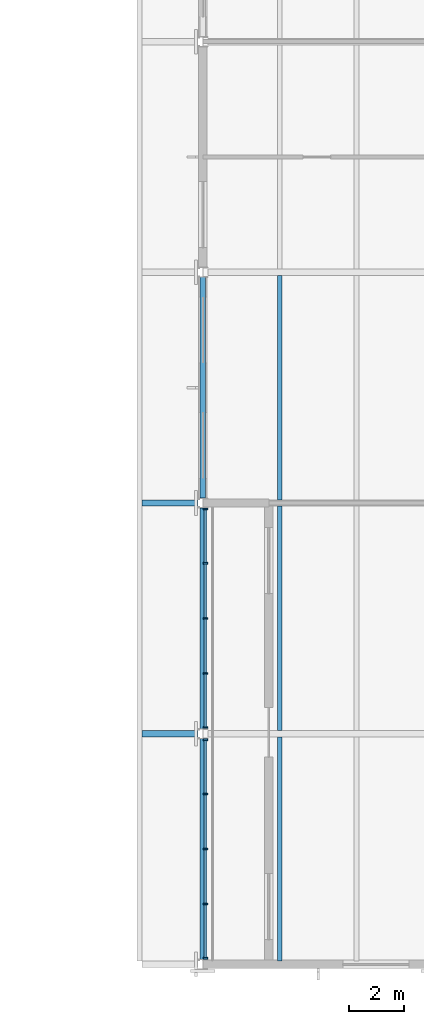
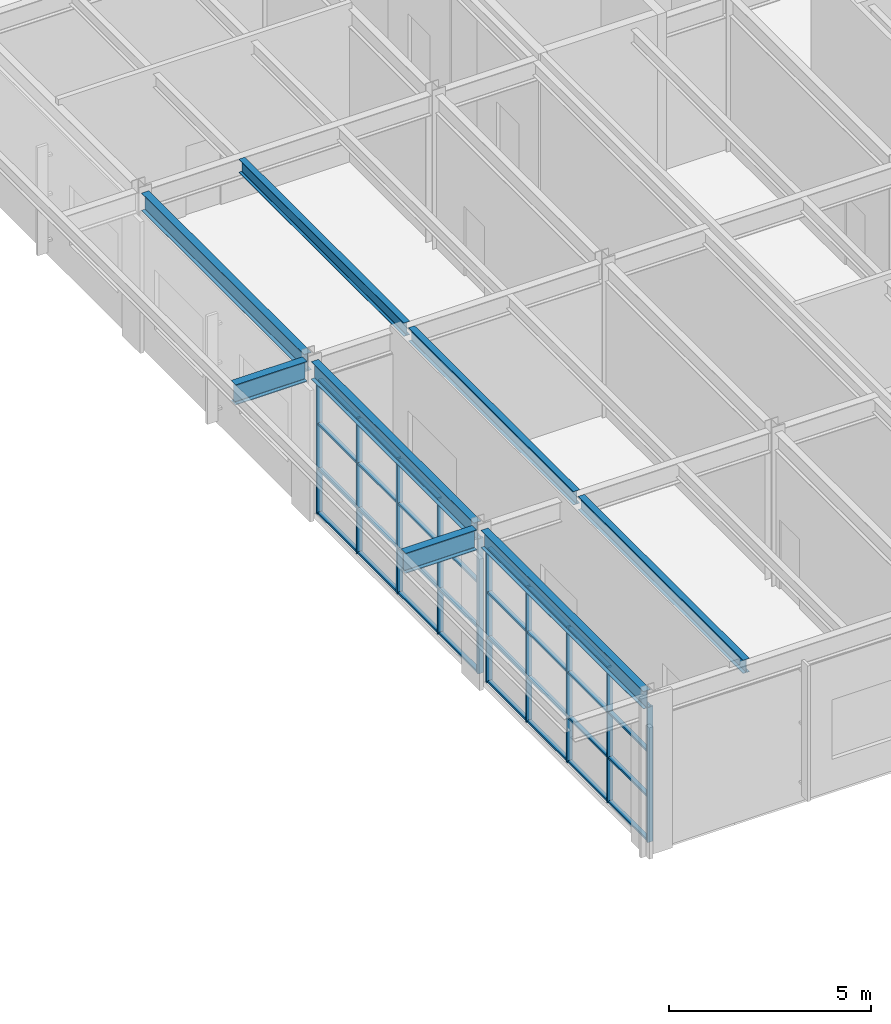
# One storey, part 25 of 116: 42 members, 8 beams, 2 elements without a shape of their own.
"""IFC4 building model written with IfcOpenShell, lengths in metres."""

import ifcopenshell
import ifcopenshell.guid

model = None  # the IFC model being written
_history = None  # IfcOwnerHistory: only IFC2X3 demands one
_inside = {}  # id of a spatial element -> (the spatial element, [elements in it])
_under = {}  # id of a project, library or spatial element -> (it, [spatial elements below it])
_declared = {}  # id of a project -> (the project, [libraries it declares])
_typed = {}  # id of a type object -> (the type object, [elements of that type])
_made_of = {}  # id of a material, layer set ... -> (it, [elements and type objects made of it])


def new_model(schema):
    """Start an empty IFC model of exactly this schema.

    Asked for "IFC4X3", IfcOpenShell would pick the latest addendum, in which some entities
    have other attributes; the version numbers below select the first issue.
    IFC2X3 requires an IfcOwnerHistory on every rooted entity: one is made here for all.
    """
    global model, _history
    if schema == "IFC4X3":
        model = ifcopenshell.file(schema_version=(4, 3, 0, 0))
    else:
        model = ifcopenshell.file(schema=schema)
    _inside.clear()
    _under.clear()
    _declared.clear()
    _typed.clear()
    _made_of.clear()
    _history = None
    if model.schema == "IFC2X3":
        org = make("IfcOrganization", Name="unknown")
        user = make(
            "IfcPersonAndOrganization",
            ThePerson=make("IfcPerson", FamilyName="unknown"),
            TheOrganization=org,
        )
        app = make(
            "IfcApplication",
            ApplicationDeveloper=org,
            Version="unknown",
            ApplicationFullName="unknown",
            ApplicationIdentifier="unknown",
        )
        _history = make(
            "IfcOwnerHistory",
            OwningUser=user,
            OwningApplication=app,
            ChangeAction="ADDED",
            CreationDate=0,
        )
    return model


def make(cls, **values):
    """One entity of the class cls with the attributes given. An attribute that is None is left unset."""
    return model.create_entity(
        cls, **{name: value for name, value in values.items() if value is not None}
    )


def rooted(cls, **values):
    """An entity with a GlobalId (a new one), such as an element, a storey or a relation."""
    return make(cls, GlobalId=ifcopenshell.guid.new(), OwnerHistory=_history, **values)


def si_unit(unit_type, name, prefix=None):
    """IfcSIUnit, for example si_unit("LENGTHUNIT", "METRE", prefix="MILLI")."""
    return make("IfcSIUnit", UnitType=unit_type, Prefix=prefix, Name=name)


def assignment(units):
    """IfcUnitAssignment: the units of a project."""
    return None if units is None else make("IfcUnitAssignment", Units=units)


def point(xyz):
    """IfcCartesianPoint."""
    return None if xyz is None else make("IfcCartesianPoint", Coordinates=xyz)


def direction(xyz):
    """IfcDirection."""
    return None if xyz is None else make("IfcDirection", DirectionRatios=xyz)


def frame(location, z_axis=None, x_axis=None):
    """IfcAxis2Placement3D, a coordinate frame: its origin and axes. An axis left out is left unset."""
    return make(
        "IfcAxis2Placement3D",
        Location=point(location),
        Axis=direction(z_axis),
        RefDirection=direction(x_axis),
    )


def frame_2d(location, x_axis=None):
    """IfcAxis2Placement2D, a coordinate frame in the plane: its origin and x axis."""
    return make(
        "IfcAxis2Placement2D", Location=point(location), RefDirection=direction(x_axis)
    )


def origin():
    """The frame at (0, 0, 0) with its axes left unset."""
    return frame((0.0, 0.0, 0.0))


def origin_2d():
    """The frame at (0, 0) in the plane with its x axis left unset."""
    return frame_2d((0.0, 0.0))


def place(relative_to, where):
    """IfcLocalPlacement: puts the frame where relative to a parent placement (None: the world)."""
    return make(
        "IfcLocalPlacement", PlacementRelTo=relative_to, RelativePlacement=where
    )


def context(
    kind, dimensions, precision=None, world=None, true_north=None, identifier=None
):
    """IfcGeometricRepresentationContext, for example the 3D "Model" context."""
    return make(
        "IfcGeometricRepresentationContext",
        ContextIdentifier=identifier,
        ContextType=kind,
        CoordinateSpaceDimension=dimensions,
        Precision=precision,
        WorldCoordinateSystem=world,
        TrueNorth=true_north,
    )


def subcontext(parent, identifier, kind, view, scale=None):
    """IfcGeometricRepresentationSubContext, for example "Body" below "Model"."""
    return make(
        "IfcGeometricRepresentationSubContext",
        ContextIdentifier=identifier,
        ContextType=kind,
        ParentContext=parent,
        TargetScale=scale,
        TargetView=view,
    )


def project(units=None, contexts=None):
    """IfcProject with its units and contexts."""
    return rooted(
        "IfcProject",
        Name="project",
        RepresentationContexts=contexts,
        UnitsInContext=assignment(units),
    )


def spatial(cls, under=None, at=None, **own):
    """A site, building, storey or space (cls), placed at a placement, below another one or the project."""
    s = rooted(cls, ObjectPlacement=at, **own)
    if under is not None:
        _under.setdefault(under.id(), (under, []))[1].append(s)
    return s


def profile(cls, at=None, kind="AREA", **sizes):
    """A parametric profile (cls). Its sizes go by their IFC names, for example OverallWidth=200.0."""
    return make(cls, ProfileType=kind, Position=at, **sizes)


def rectangle(**sizes):
    """IfcRectangleProfileDef."""
    return profile("IfcRectangleProfileDef", **sizes)


def i_section(**sizes):
    """IfcIShapeProfileDef."""
    return profile("IfcIShapeProfileDef", **sizes)


def extrude(swept, where, along, depth):
    """IfcExtrudedAreaSolid: the profile swept, set in the frame where, extruded along a direction by depth."""
    return make(
        "IfcExtrudedAreaSolid",
        SweptArea=swept,
        Position=where,
        ExtrudedDirection=direction(along),
        Depth=depth,
    )


def shape(context_of_items, identifier, shape_type, items):
    """IfcShapeRepresentation: the items that make up one representation, for example the "Body"."""
    return make(
        "IfcShapeRepresentation",
        ContextOfItems=context_of_items,
        RepresentationIdentifier=identifier,
        RepresentationType=shape_type,
        Items=items,
    )


def material(Name=None, Category=None):
    """IfcMaterial."""
    return make("IfcMaterial", Name=Name, Category=Category)


def material_profile(
    of_material, cross_section, Name=None, Category=None, Priority=None
):
    """IfcMaterialProfile: a cross section and its material."""
    return make(
        "IfcMaterialProfile",
        Name=Name,
        Material=of_material,
        Profile=cross_section,
        Priority=Priority,
        Category=Category,
    )


def profile_set(profiles, Name=None, composite=None):
    """IfcMaterialProfileSet."""
    return make(
        "IfcMaterialProfileSet",
        Name=Name,
        MaterialProfiles=profiles,
        CompositeProfile=composite,
    )


def made_of(thing, what):
    """Note that an element or type object is made of a material, layer set ...; save() writes the relation."""
    if what is not None:
        _made_of.setdefault(what.id(), (what, []))[1].append(thing)
    return thing


def type_object(cls, material=None, **own):
    """A type object (cls), such as IfcWallType, which elements share."""
    return made_of(rooted(cls, **own), material)


def element(
    cls,
    number,
    at=None,
    inside=None,
    cuts=None,
    type_object=None,
    material=None,
    context=None,
    identifier="Body",
    shape_type=None,
    held_by="IfcProductDefinitionShape",
    body=None,
    shapes=None,
    **own,
):
    """One element of the class cls, such as IfcWall. Its Tag is "e" and its number.

    at: its placement. inside: the storey or other place that contains it. cuts: it is an
    opening in that element (IfcRelVoidsElement). A single representation is given by context,
    identifier, shape_type and body (its items); several are given by shapes. held_by: the class
    of the entity that holds the representations. save() writes the other relations.
    """
    e = rooted(cls, Tag="e%d" % number, ObjectPlacement=at, **own)
    if body is not None:
        shapes = [shape(context, identifier, shape_type, body)]
    if shapes is not None:
        e.Representation = make(held_by, Representations=shapes)
    if inside is not None:
        _inside.setdefault(inside.id(), (inside, []))[1].append(e)
    if cuts is not None:
        rooted(
            "IfcRelVoidsElement", RelatingBuildingElement=cuts, RelatedOpeningElement=e
        )
    if type_object is not None:
        _typed.setdefault(type_object.id(), (type_object, []))[1].append(e)
    return made_of(e, material)


def aggregate(whole, parts):
    """IfcRelAggregates: a whole, such as a stair, and the parts it consists of."""
    return rooted("IfcRelAggregates", RelatingObject=whole, RelatedObjects=parts)


def save(model, path):
    """Write the relations noted so far, then the file.

    IfcRelAggregates (storeys below a building ...), IfcRelContainedInSpatialStructure (elements
    in a storey), IfcRelDefinesByType, IfcRelAssociatesMaterial and IfcRelDeclares: one each for
    every whole, place, type object, material and project.
    """
    for whole, parts in _under.values():
        aggregate(whole, parts)
    for where, things in _inside.values():
        rooted(
            "IfcRelContainedInSpatialStructure",
            RelatedElements=things,
            RelatingStructure=where,
        )
    for kind, things in _typed.values():
        rooted("IfcRelDefinesByType", RelatedObjects=things, RelatingType=kind)
    for what, things in _made_of.values():
        rooted("IfcRelAssociatesMaterial", RelatedObjects=things, RelatingMaterial=what)
    for by, libraries in _declared.values():
        rooted("IfcRelDeclares", RelatingContext=by, RelatedDefinitions=libraries)
    model.write(path)


model = new_model("IFC4")

# Units and contexts
model_context = context("Model", 3, precision=1e-05, world=origin(), true_north=direction((0.0, 1.0)))
body_context = subcontext(model_context, "Body", "Model", "MODEL_VIEW")
ifc_project = project(units=[si_unit("LENGTHUNIT", "METRE"), si_unit("AREAUNIT", "SQUARE_METRE"), si_unit("VOLUMEUNIT", "CUBIC_METRE"), si_unit("PLANEANGLEUNIT", "RADIAN"), si_unit("MASSUNIT", "GRAM", prefix="KILO")], contexts=[model_context])

# Site, building, storey
site_placement = place(None, origin())
site = spatial("IfcSite", under=ifc_project, at=site_placement, CompositionType="ELEMENT")
building_placement = place(site_placement, origin())
building = spatial("IfcBuilding", under=site, at=building_placement, Name="Ljudholm Concert House", CompositionType="ELEMENT")
storey_placement = place(building_placement, frame((0.0, 0.0, 10.199951171875)))
storey = spatial("IfcBuildingStorey", under=building, at=storey_placement, Name="L02", CompositionType="ELEMENT", Elevation=10.199951171875)

# Curtain wall, members
ifc_material_1 = material(Name="Aluminium curtain wall with fixed aluminium storm louvre blades, timber-grain finish", Category="aluminium")
curtain_wall_type = type_object("IfcCurtainWallType", Name="CURTAIN WALL 2000", PredefinedType="NOTDEFINED", material=ifc_material_1)
curtain_wall_1_placement = place(storey_placement, origin())
curtain_wall_1 = element("IfcCurtainWall", 1, at=curtain_wall_1_placement, inside=storey, type_object=curtain_wall_type, Name="Storm louvre screen", PredefinedType="NOTDEFINED")
ifc_material_2 = material(Name="Aluminium extrusion", Category="aluminium")
ifc_material_profile_1 = material_profile(ifc_material_2, rectangle(XDim=0.159912109375, YDim=0.06005859375, at=origin_2d()), Name="MULLION 60x160")
ifc_profile_set_1 = profile_set([ifc_material_profile_1], Name="Aluminium extrusion")
member_type_1 = type_object("IfcMemberType", Name="MULLION 60x160", PredefinedType="MULLION", material=ifc_profile_set_1)
member_1_placement = place(storey_placement, frame((96.5, 4.219970703125, 0.0), z_axis=(0.0, 0.0, 1.0), x_axis=(-1.0, 0.0, 0.0)))
member_1 = element("IfcMember", 2, at=member_1_placement, type_object=member_type_1, Name="Mullion", PredefinedType="MULLION", context=body_context, shape_type="SweptSolid", body=[
    extrude(rectangle(XDim=0.159912109375, YDim=0.06005859375, at=origin_2d()), origin(), (0.0, 0.0, 1.0), 4.086669921875),
])
member_2_placement = place(storey_placement, frame((96.5, 6.195068359375, 0.0), z_axis=(0.0, 0.0, 1.0), x_axis=(-1.0, 0.0, 0.0)))
member_2 = element("IfcMember", 3, at=member_2_placement, type_object=member_type_1, Name="Mullion", PredefinedType="MULLION", context=body_context, shape_type="SweptSolid", body=[
    extrude(rectangle(XDim=0.159912109375, YDim=0.06005859375, at=origin_2d()), origin(), (0.0, 0.0, 1.0), 4.086669921875),
])
member_3_placement = place(storey_placement, frame((96.5, 8.199951171875, 0.0), z_axis=(0.0, 0.0, 1.0), x_axis=(-1.0, 0.0, 0.0)))
member_3 = element("IfcMember", 4, at=member_3_placement, type_object=member_type_1, Name="Mullion", PredefinedType="MULLION", context=body_context, shape_type="SweptSolid", body=[
    extrude(rectangle(XDim=0.159912109375, YDim=0.06005859375, at=origin_2d()), origin(), (0.0, 0.0, 1.0), 4.086669921875),
])
member_4_placement = place(storey_placement, frame((96.5, 10.205078125, 0.0), z_axis=(0.0, 0.0, 1.0), x_axis=(-1.0, 0.0, 0.0)))
member_4 = element("IfcMember", 5, at=member_4_placement, type_object=member_type_1, Name="Mullion", PredefinedType="MULLION", context=body_context, shape_type="SweptSolid", body=[
    extrude(rectangle(XDim=0.159912109375, YDim=0.06005859375, at=origin_2d()), origin(), (0.0, 0.0, 1.0), 4.086669921875),
])
member_5_placement = place(storey_placement, frame((96.5, 12.179931640625, 0.0), z_axis=(0.0, 0.0, 1.0), x_axis=(-1.0, 0.0, 0.0)))
member_5 = element("IfcMember", 6, at=member_5_placement, type_object=member_type_1, Name="Mullion", PredefinedType="MULLION", context=body_context, shape_type="SweptSolid", body=[
    extrude(rectangle(XDim=0.159912109375, YDim=0.06005859375, at=origin_2d()), origin(), (0.0, 0.0, 1.0), 4.086669921875),
])

curtain_wall_2_placement = place(storey_placement, origin())
curtain_wall_2 = element("IfcCurtainWall", 7, at=curtain_wall_2_placement, inside=storey, type_object=curtain_wall_type, Name="Storm louvre screen", PredefinedType="NOTDEFINED")
member_6_placement = place(storey_placement, frame((96.5, 12.6201171875, 0.0), z_axis=(0.0, 0.0, 1.0), x_axis=(-1.0, 0.0, 0.0)))
member_6 = element("IfcMember", 8, at=member_6_placement, type_object=member_type_1, Name="Mullion", PredefinedType="MULLION", context=body_context, shape_type="SweptSolid", body=[
    extrude(rectangle(XDim=0.159912109375, YDim=0.06005859375, at=origin_2d()), origin(), (0.0, 0.0, 1.0), 4.086669921875),
])
member_7_placement = place(storey_placement, frame((96.5, 14.594970703125, 0.0), z_axis=(0.0, 0.0, 1.0), x_axis=(-1.0, 0.0, 0.0)))
member_7 = element("IfcMember", 9, at=member_7_placement, type_object=member_type_1, Name="Mullion", PredefinedType="MULLION", context=body_context, shape_type="SweptSolid", body=[
    extrude(rectangle(XDim=0.159912109375, YDim=0.06005859375, at=origin_2d()), origin(), (0.0, 0.0, 1.0), 4.086669921875),
])
member_8_placement = place(storey_placement, frame((96.5, 16.60009765625, 0.0), z_axis=(0.0, 0.0, 1.0), x_axis=(-1.0, 0.0, 0.0)))
member_8 = element("IfcMember", 10, at=member_8_placement, type_object=member_type_1, Name="Mullion", PredefinedType="MULLION", context=body_context, shape_type="SweptSolid", body=[
    extrude(rectangle(XDim=0.159912109375, YDim=0.06005859375, at=origin_2d()), origin(), (0.0, 0.0, 1.0), 4.086669921875),
])
member_9_placement = place(storey_placement, frame((96.5, 18.60498046875, 0.0), z_axis=(0.0, 0.0, 1.0), x_axis=(-1.0, 0.0, 0.0)))
member_9 = element("IfcMember", 11, at=member_9_placement, type_object=member_type_1, Name="Mullion", PredefinedType="MULLION", context=body_context, shape_type="SweptSolid", body=[
    extrude(rectangle(XDim=0.159912109375, YDim=0.06005859375, at=origin_2d()), origin(), (0.0, 0.0, 1.0), 4.086669921875),
])
member_10_placement = place(storey_placement, frame((96.5, 20.580078125, 0.0), z_axis=(0.0, 0.0, 1.0), x_axis=(-1.0, 0.0, 0.0)))
member_10 = element("IfcMember", 12, at=member_10_placement, type_object=member_type_1, Name="Mullion", PredefinedType="MULLION", context=body_context, shape_type="SweptSolid", body=[
    extrude(rectangle(XDim=0.159912109375, YDim=0.06005859375, at=origin_2d()), origin(), (0.0, 0.0, 1.0), 4.086669921875),
])

# Beams
ifc_material_3 = material(Name="Steel ASTM A992", Category="steel")
ifc_material_profile_2 = material_profile(ifc_material_3, i_section(OverallWidth=0.177734375, OverallDepth=0.406494140625, WebThickness=0.0078125, FlangeThickness=0.012939453125, FilletRadius=0.01025390625, at=origin_2d()), Name="W16X40")
ifc_profile_set_2 = profile_set([ifc_material_profile_2], Name="Steel ASTM A992")
beam_type_1 = type_object("IfcBeamType", Name="STEEL BEAM W16X40", PredefinedType="BEAM", material=ifc_profile_set_2)
for number, where, z_axis, x_axis, name in (
    (13, (99.199951171875, 4.114501953125, 4.416748046875), (0.0, 1.0, 0.0), (-1.0, 0.0, 0.0), "Beam BOH-ROOF-sb-99.2-4"),
    (14, (99.199951171875, 12.5146484375, 4.416748046875), (0.0, 1.0, 0.0), (-1.0, 0.0, 0.0), "Beam BOH-ROOF-sb-99.2-12.4"),
    (15, (99.199951171875, 20.91455078125, 4.416748046875), (0.0, 1.0, 0.0), (-1.0, 0.0, 0.0), "Beam BOH-ROOF-sb-99.2-20.8"),
):
    element("IfcBeam", number, at=place(storey_placement, frame(where, z_axis=z_axis, x_axis=x_axis)), inside=storey, type_object=beam_type_1, Name=name, PredefinedType="BEAM", context=body_context, shape_type="SweptSolid", body=[
        extrude(i_section(OverallWidth=0.177734375, OverallDepth=0.406494140625, WebThickness=0.0078125, FlangeThickness=0.012939453125, FilletRadius=0.01025390625, at=origin_2d()), origin(), (0.0, 0.0, 1.0), 8.1708984375),
    ])
ifc_material_4 = material(Name="Steel ASTM A992", Category="steel")
ifc_material_profile_3 = material_profile(ifc_material_4, i_section(OverallWidth=0.209228515625, OverallDepth=0.533447265625, WebThickness=0.01025390625, FlangeThickness=0.015625, FilletRadius=0.012939453125, at=origin_2d()), Name="W21X62")
ifc_profile_set_3 = profile_set([ifc_material_profile_3], Name="Steel ASTM A992")
beam_type_2 = type_object("IfcBeamType", Name="STEEL BEAM W21X62", PredefinedType="BEAM", material=ifc_profile_set_3)
for number, where, z_axis, x_axis, name in (
    (16, (96.39990234375, 4.177734375, 4.353271484375), (0.0, 1.0, 0.0), (-1.0, 0.0, 0.0), "Beam BOH-ROOF-gy-96.4-4"),
    (17, (96.39990234375, 12.577880859375, 4.353271484375), (0.0, 1.0, 0.0), (-1.0, 0.0, 0.0), "Beam BOH-ROOF-gy-96.4-12.4"),
    (18, (96.39990234375, 20.977783203125, 4.353271484375), (0.0, 1.0, 0.0), (-1.0, 0.0, 0.0), "Beam BOH-ROOF-gy-96.4-20.8"),
):
    element("IfcBeam", number, at=place(storey_placement, frame(where, z_axis=z_axis, x_axis=x_axis)), inside=storey, type_object=beam_type_2, Name=name, PredefinedType="BEAM", context=body_context, shape_type="SweptSolid", body=[
        extrude(i_section(OverallWidth=0.209228515625, OverallDepth=0.533447265625, WebThickness=0.01025390625, FlangeThickness=0.015625, FilletRadius=0.012939453125, at=origin_2d()), origin(), (0.0, 0.0, 1.0), 8.04443359375),
    ])
ifc_material_5 = material(Name="Steel ASTM A992", Category="steel")
ifc_material_profile_4 = material_profile(ifc_material_5, i_section(OverallWidth=0.22900390625, OverallDepth=0.612060546875, WebThickness=0.011962890625, FlangeThickness=0.01953125, FilletRadius=0.0126953125, at=origin_2d()), Name="W24X84")
ifc_profile_set_4 = profile_set([ifc_material_profile_4], Name="Steel ASTM A992")
beam_type_3 = type_object("IfcBeamType", Name="STEEL BEAM W24X84", PredefinedType="BEAM", material=ifc_profile_set_4)
for number, where, z_axis, x_axis, name in (
    (19, (96.2158203125, 12.39990234375, 4.31396484375), (-1.0, 0.0, 0.0), (0.0, -1.0, 0.0), "Beam BOH-ROOF-eave-gW-12.4"),
    (20, (96.2158203125, 20.800048828125, 4.31396484375), (-1.0, 0.0, 0.0), (0.0, -1.0, 0.0), "Beam BOH-ROOF-eave-gW-20.8"),
):
    element("IfcBeam", number, at=place(storey_placement, frame(where, z_axis=z_axis, x_axis=x_axis)), inside=storey, type_object=beam_type_3, Name=name, PredefinedType="BEAM", context=body_context, shape_type="SweptSolid", body=[
        extrude(i_section(OverallWidth=0.22900390625, OverallDepth=0.612060546875, WebThickness=0.011962890625, FlangeThickness=0.01953125, FilletRadius=0.0126953125, at=origin_2d()), origin(), (0.0, 0.0, 1.0), 2.0380859375),
    ])

# Member
ifc_material_6 = material(Name="Aluminium extrusion", Category="aluminium")
ifc_material_profile_5 = material_profile(ifc_material_6, rectangle(XDim=0.1201171875, YDim=0.06005859375, at=origin_2d()), Name="TRANSOM 60x120")
ifc_profile_set_5 = profile_set([ifc_material_profile_5], Name="Aluminium extrusion")
member_type_2 = type_object("IfcMemberType", Name="TRANSOM 60x120", PredefinedType="USERDEFINED", material=ifc_profile_set_5)
member_11_placement = place(storey_placement, frame((96.5, 4.25, 0.030029296875), z_axis=(0.0, 1.0, 0.0), x_axis=(-1.0, 0.0, 0.0)))
member_11 = element("IfcMember", 21, at=member_11_placement, type_object=member_type_2, Name="Transom", ObjectType="TRANSOM", PredefinedType="USERDEFINED", context=body_context, shape_type="SweptSolid", body=[
    extrude(rectangle(XDim=0.1201171875, YDim=0.06005859375, at=origin_2d()), origin(), (0.0, 0.0, 1.0), 1.9150390625),
])

member_12_placement = place(storey_placement, frame((96.5, 4.25, 1.3623046875), z_axis=(0.0, 1.0, 0.0), x_axis=(-1.0, 0.0, 0.0)))
member_12 = element("IfcMember", 22, at=member_12_placement, type_object=member_type_2, Name="Transom", ObjectType="TRANSOM", PredefinedType="USERDEFINED", context=body_context, shape_type="SweptSolid", body=[
    extrude(rectangle(XDim=0.1201171875, YDim=0.06005859375, at=origin_2d()), origin(), (0.0, 0.0, 1.0), 1.9150390625),
])

member_13_placement = place(storey_placement, frame((96.5, 4.25, 2.724365234375), z_axis=(0.0, 1.0, 0.0), x_axis=(-1.0, 0.0, 0.0)))
member_13 = element("IfcMember", 23, at=member_13_placement, type_object=member_type_2, Name="Transom", ObjectType="TRANSOM", PredefinedType="USERDEFINED", context=body_context, shape_type="SweptSolid", body=[
    extrude(rectangle(XDim=0.1201171875, YDim=0.06005859375, at=origin_2d()), origin(), (0.0, 0.0, 1.0), 1.9150390625),
])

member_14_placement = place(storey_placement, frame((96.5, 4.25, 4.056640625), z_axis=(0.0, 1.0, 0.0), x_axis=(-1.0, 0.0, 0.0)))
member_14 = element("IfcMember", 24, at=member_14_placement, type_object=member_type_2, Name="Transom", ObjectType="TRANSOM", PredefinedType="USERDEFINED", context=body_context, shape_type="SweptSolid", body=[
    extrude(rectangle(XDim=0.1201171875, YDim=0.06005859375, at=origin_2d()), origin(), (0.0, 0.0, 1.0), 1.9150390625),
])

member_15_placement = place(storey_placement, frame((96.5, 6.22509765625, 0.030029296875), z_axis=(0.0, 1.0, 0.0), x_axis=(-1.0, 0.0, 0.0)))
member_15 = element("IfcMember", 25, at=member_15_placement, type_object=member_type_2, Name="Transom", ObjectType="TRANSOM", PredefinedType="USERDEFINED", context=body_context, shape_type="SweptSolid", body=[
    extrude(rectangle(XDim=0.1201171875, YDim=0.06005859375, at=origin_2d()), origin(), (0.0, 0.0, 1.0), 1.94482421875),
])

member_16_placement = place(storey_placement, frame((96.5, 6.22509765625, 1.3623046875), z_axis=(0.0, 1.0, 0.0), x_axis=(-1.0, 0.0, 0.0)))
member_16 = element("IfcMember", 26, at=member_16_placement, type_object=member_type_2, Name="Transom", ObjectType="TRANSOM", PredefinedType="USERDEFINED", context=body_context, shape_type="SweptSolid", body=[
    extrude(rectangle(XDim=0.1201171875, YDim=0.06005859375, at=origin_2d()), origin(), (0.0, 0.0, 1.0), 1.94482421875),
])

member_17_placement = place(storey_placement, frame((96.5, 6.22509765625, 2.724365234375), z_axis=(0.0, 1.0, 0.0), x_axis=(-1.0, 0.0, 0.0)))
member_17 = element("IfcMember", 27, at=member_17_placement, type_object=member_type_2, Name="Transom", ObjectType="TRANSOM", PredefinedType="USERDEFINED", context=body_context, shape_type="SweptSolid", body=[
    extrude(rectangle(XDim=0.1201171875, YDim=0.06005859375, at=origin_2d()), origin(), (0.0, 0.0, 1.0), 1.94482421875),
])

member_18_placement = place(storey_placement, frame((96.5, 6.22509765625, 4.056640625), z_axis=(0.0, 1.0, 0.0), x_axis=(-1.0, 0.0, 0.0)))
member_18 = element("IfcMember", 28, at=member_18_placement, type_object=member_type_2, Name="Transom", ObjectType="TRANSOM", PredefinedType="USERDEFINED", context=body_context, shape_type="SweptSolid", body=[
    extrude(rectangle(XDim=0.1201171875, YDim=0.06005859375, at=origin_2d()), origin(), (0.0, 0.0, 1.0), 1.94482421875),
])

member_19_placement = place(storey_placement, frame((96.5, 8.22998046875, 0.030029296875), z_axis=(0.0, 1.0, 0.0), x_axis=(-1.0, 0.0, 0.0)))
member_19 = element("IfcMember", 29, at=member_19_placement, type_object=member_type_2, Name="Transom", ObjectType="TRANSOM", PredefinedType="USERDEFINED", context=body_context, shape_type="SweptSolid", body=[
    extrude(rectangle(XDim=0.1201171875, YDim=0.06005859375, at=origin_2d()), origin(), (0.0, 0.0, 1.0), 1.945068359375),
])

member_20_placement = place(storey_placement, frame((96.5, 8.22998046875, 1.3623046875), z_axis=(0.0, 1.0, 0.0), x_axis=(-1.0, 0.0, 0.0)))
member_20 = element("IfcMember", 30, at=member_20_placement, type_object=member_type_2, Name="Transom", ObjectType="TRANSOM", PredefinedType="USERDEFINED", context=body_context, shape_type="SweptSolid", body=[
    extrude(rectangle(XDim=0.1201171875, YDim=0.06005859375, at=origin_2d()), origin(), (0.0, 0.0, 1.0), 1.945068359375),
])

member_21_placement = place(storey_placement, frame((96.5, 8.22998046875, 2.724365234375), z_axis=(0.0, 1.0, 0.0), x_axis=(-1.0, 0.0, 0.0)))
member_21 = element("IfcMember", 31, at=member_21_placement, type_object=member_type_2, Name="Transom", ObjectType="TRANSOM", PredefinedType="USERDEFINED", context=body_context, shape_type="SweptSolid", body=[
    extrude(rectangle(XDim=0.1201171875, YDim=0.06005859375, at=origin_2d()), origin(), (0.0, 0.0, 1.0), 1.945068359375),
])

member_22_placement = place(storey_placement, frame((96.5, 8.22998046875, 4.056640625), z_axis=(0.0, 1.0, 0.0), x_axis=(-1.0, 0.0, 0.0)))
member_22 = element("IfcMember", 32, at=member_22_placement, type_object=member_type_2, Name="Transom", ObjectType="TRANSOM", PredefinedType="USERDEFINED", context=body_context, shape_type="SweptSolid", body=[
    extrude(rectangle(XDim=0.1201171875, YDim=0.06005859375, at=origin_2d()), origin(), (0.0, 0.0, 1.0), 1.945068359375),
])

member_23_placement = place(storey_placement, frame((96.5, 10.235107421875, 0.030029296875), z_axis=(0.0, 1.0, 0.0), x_axis=(-1.0, 0.0, 0.0)))
member_23 = element("IfcMember", 33, at=member_23_placement, type_object=member_type_2, Name="Transom", ObjectType="TRANSOM", PredefinedType="USERDEFINED", context=body_context, shape_type="SweptSolid", body=[
    extrude(rectangle(XDim=0.1201171875, YDim=0.06005859375, at=origin_2d()), origin(), (0.0, 0.0, 1.0), 1.914794921875),
])

member_24_placement = place(storey_placement, frame((96.5, 10.235107421875, 1.3623046875), z_axis=(0.0, 1.0, 0.0), x_axis=(-1.0, 0.0, 0.0)))
member_24 = element("IfcMember", 34, at=member_24_placement, type_object=member_type_2, Name="Transom", ObjectType="TRANSOM", PredefinedType="USERDEFINED", context=body_context, shape_type="SweptSolid", body=[
    extrude(rectangle(XDim=0.1201171875, YDim=0.06005859375, at=origin_2d()), origin(), (0.0, 0.0, 1.0), 1.914794921875),
])

member_25_placement = place(storey_placement, frame((96.5, 10.235107421875, 2.724365234375), z_axis=(0.0, 1.0, 0.0), x_axis=(-1.0, 0.0, 0.0)))
member_25 = element("IfcMember", 35, at=member_25_placement, type_object=member_type_2, Name="Transom", ObjectType="TRANSOM", PredefinedType="USERDEFINED", context=body_context, shape_type="SweptSolid", body=[
    extrude(rectangle(XDim=0.1201171875, YDim=0.06005859375, at=origin_2d()), origin(), (0.0, 0.0, 1.0), 1.914794921875),
])

member_26_placement = place(storey_placement, frame((96.5, 10.235107421875, 4.056640625), z_axis=(0.0, 1.0, 0.0), x_axis=(-1.0, 0.0, 0.0)))
member_26 = element("IfcMember", 36, at=member_26_placement, type_object=member_type_2, Name="Transom", ObjectType="TRANSOM", PredefinedType="USERDEFINED", context=body_context, shape_type="SweptSolid", body=[
    extrude(rectangle(XDim=0.1201171875, YDim=0.06005859375, at=origin_2d()), origin(), (0.0, 0.0, 1.0), 1.914794921875),
])

aggregate(curtain_wall_1, [member_1, member_2, member_3, member_4, member_5, member_11, member_12, member_13, member_14, member_15, member_16, member_17, member_18, member_19, member_20, member_21, member_22, member_23, member_24, member_25, member_26])

member_27_placement = place(storey_placement, frame((96.5, 12.64990234375, 0.030029296875), z_axis=(0.0, 1.0, 0.0), x_axis=(-1.0, 0.0, 0.0)))
member_27 = element("IfcMember", 37, at=member_27_placement, type_object=member_type_2, Name="Transom", ObjectType="TRANSOM", PredefinedType="USERDEFINED", context=body_context, shape_type="SweptSolid", body=[
    extrude(rectangle(XDim=0.1201171875, YDim=0.06005859375, at=origin_2d()), origin(), (0.0, 0.0, 1.0), 1.9150390625),
])

member_28_placement = place(storey_placement, frame((96.5, 12.64990234375, 1.3623046875), z_axis=(0.0, 1.0, 0.0), x_axis=(-1.0, 0.0, 0.0)))
member_28 = element("IfcMember", 38, at=member_28_placement, type_object=member_type_2, Name="Transom", ObjectType="TRANSOM", PredefinedType="USERDEFINED", context=body_context, shape_type="SweptSolid", body=[
    extrude(rectangle(XDim=0.1201171875, YDim=0.06005859375, at=origin_2d()), origin(), (0.0, 0.0, 1.0), 1.9150390625),
])

member_29_placement = place(storey_placement, frame((96.5, 12.64990234375, 2.724365234375), z_axis=(0.0, 1.0, 0.0), x_axis=(-1.0, 0.0, 0.0)))
member_29 = element("IfcMember", 39, at=member_29_placement, type_object=member_type_2, Name="Transom", ObjectType="TRANSOM", PredefinedType="USERDEFINED", context=body_context, shape_type="SweptSolid", body=[
    extrude(rectangle(XDim=0.1201171875, YDim=0.06005859375, at=origin_2d()), origin(), (0.0, 0.0, 1.0), 1.9150390625),
])

member_30_placement = place(storey_placement, frame((96.5, 12.64990234375, 4.056640625), z_axis=(0.0, 1.0, 0.0), x_axis=(-1.0, 0.0, 0.0)))
member_30 = element("IfcMember", 40, at=member_30_placement, type_object=member_type_2, Name="Transom", ObjectType="TRANSOM", PredefinedType="USERDEFINED", context=body_context, shape_type="SweptSolid", body=[
    extrude(rectangle(XDim=0.1201171875, YDim=0.06005859375, at=origin_2d()), origin(), (0.0, 0.0, 1.0), 1.9150390625),
])

member_31_placement = place(storey_placement, frame((96.5, 14.625, 0.030029296875), z_axis=(0.0, 1.0, 0.0), x_axis=(-1.0, 0.0, 0.0)))
member_31 = element("IfcMember", 41, at=member_31_placement, type_object=member_type_2, Name="Transom", ObjectType="TRANSOM", PredefinedType="USERDEFINED", context=body_context, shape_type="SweptSolid", body=[
    extrude(rectangle(XDim=0.1201171875, YDim=0.06005859375, at=origin_2d()), origin(), (0.0, 0.0, 1.0), 1.945068359375),
])

member_32_placement = place(storey_placement, frame((96.5, 14.625, 1.3623046875), z_axis=(0.0, 1.0, 0.0), x_axis=(-1.0, 0.0, 0.0)))
member_32 = element("IfcMember", 42, at=member_32_placement, type_object=member_type_2, Name="Transom", ObjectType="TRANSOM", PredefinedType="USERDEFINED", context=body_context, shape_type="SweptSolid", body=[
    extrude(rectangle(XDim=0.1201171875, YDim=0.06005859375, at=origin_2d()), origin(), (0.0, 0.0, 1.0), 1.945068359375),
])

member_33_placement = place(storey_placement, frame((96.5, 14.625, 2.724365234375), z_axis=(0.0, 1.0, 0.0), x_axis=(-1.0, 0.0, 0.0)))
member_33 = element("IfcMember", 43, at=member_33_placement, type_object=member_type_2, Name="Transom", ObjectType="TRANSOM", PredefinedType="USERDEFINED", context=body_context, shape_type="SweptSolid", body=[
    extrude(rectangle(XDim=0.1201171875, YDim=0.06005859375, at=origin_2d()), origin(), (0.0, 0.0, 1.0), 1.945068359375),
])

member_34_placement = place(storey_placement, frame((96.5, 14.625, 4.056640625), z_axis=(0.0, 1.0, 0.0), x_axis=(-1.0, 0.0, 0.0)))
member_34 = element("IfcMember", 44, at=member_34_placement, type_object=member_type_2, Name="Transom", ObjectType="TRANSOM", PredefinedType="USERDEFINED", context=body_context, shape_type="SweptSolid", body=[
    extrude(rectangle(XDim=0.1201171875, YDim=0.06005859375, at=origin_2d()), origin(), (0.0, 0.0, 1.0), 1.945068359375),
])

member_35_placement = place(storey_placement, frame((96.5, 16.6298828125, 0.030029296875), z_axis=(0.0, 1.0, 0.0), x_axis=(-1.0, 0.0, 0.0)))
member_35 = element("IfcMember", 45, at=member_35_placement, type_object=member_type_2, Name="Transom", ObjectType="TRANSOM", PredefinedType="USERDEFINED", context=body_context, shape_type="SweptSolid", body=[
    extrude(rectangle(XDim=0.1201171875, YDim=0.06005859375, at=origin_2d()), origin(), (0.0, 0.0, 1.0), 1.945068359375),
])

member_36_placement = place(storey_placement, frame((96.5, 16.6298828125, 1.3623046875), z_axis=(0.0, 1.0, 0.0), x_axis=(-1.0, 0.0, 0.0)))
member_36 = element("IfcMember", 46, at=member_36_placement, type_object=member_type_2, Name="Transom", ObjectType="TRANSOM", PredefinedType="USERDEFINED", context=body_context, shape_type="SweptSolid", body=[
    extrude(rectangle(XDim=0.1201171875, YDim=0.06005859375, at=origin_2d()), origin(), (0.0, 0.0, 1.0), 1.945068359375),
])

member_37_placement = place(storey_placement, frame((96.5, 16.6298828125, 2.724365234375), z_axis=(0.0, 1.0, 0.0), x_axis=(-1.0, 0.0, 0.0)))
member_37 = element("IfcMember", 47, at=member_37_placement, type_object=member_type_2, Name="Transom", ObjectType="TRANSOM", PredefinedType="USERDEFINED", context=body_context, shape_type="SweptSolid", body=[
    extrude(rectangle(XDim=0.1201171875, YDim=0.06005859375, at=origin_2d()), origin(), (0.0, 0.0, 1.0), 1.945068359375),
])

member_38_placement = place(storey_placement, frame((96.5, 16.6298828125, 4.056640625), z_axis=(0.0, 1.0, 0.0), x_axis=(-1.0, 0.0, 0.0)))
member_38 = element("IfcMember", 48, at=member_38_placement, type_object=member_type_2, Name="Transom", ObjectType="TRANSOM", PredefinedType="USERDEFINED", context=body_context, shape_type="SweptSolid", body=[
    extrude(rectangle(XDim=0.1201171875, YDim=0.06005859375, at=origin_2d()), origin(), (0.0, 0.0, 1.0), 1.945068359375),
])

member_39_placement = place(storey_placement, frame((96.5, 18.635009765625, 0.030029296875), z_axis=(0.0, 1.0, 0.0), x_axis=(-1.0, 0.0, 0.0)))
member_39 = element("IfcMember", 49, at=member_39_placement, type_object=member_type_2, Name="Transom", ObjectType="TRANSOM", PredefinedType="USERDEFINED", context=body_context, shape_type="SweptSolid", body=[
    extrude(rectangle(XDim=0.1201171875, YDim=0.06005859375, at=origin_2d()), origin(), (0.0, 0.0, 1.0), 1.9150390625),
])

member_40_placement = place(storey_placement, frame((96.5, 18.635009765625, 1.3623046875), z_axis=(0.0, 1.0, 0.0), x_axis=(-1.0, 0.0, 0.0)))
member_40 = element("IfcMember", 50, at=member_40_placement, type_object=member_type_2, Name="Transom", ObjectType="TRANSOM", PredefinedType="USERDEFINED", context=body_context, shape_type="SweptSolid", body=[
    extrude(rectangle(XDim=0.1201171875, YDim=0.06005859375, at=origin_2d()), origin(), (0.0, 0.0, 1.0), 1.9150390625),
])

member_41_placement = place(storey_placement, frame((96.5, 18.635009765625, 2.724365234375), z_axis=(0.0, 1.0, 0.0), x_axis=(-1.0, 0.0, 0.0)))
member_41 = element("IfcMember", 51, at=member_41_placement, type_object=member_type_2, Name="Transom", ObjectType="TRANSOM", PredefinedType="USERDEFINED", context=body_context, shape_type="SweptSolid", body=[
    extrude(rectangle(XDim=0.1201171875, YDim=0.06005859375, at=origin_2d()), origin(), (0.0, 0.0, 1.0), 1.9150390625),
])

member_42_placement = place(storey_placement, frame((96.5, 18.635009765625, 4.056640625), z_axis=(0.0, 1.0, 0.0), x_axis=(-1.0, 0.0, 0.0)))
member_42 = element("IfcMember", 52, at=member_42_placement, type_object=member_type_2, Name="Transom", ObjectType="TRANSOM", PredefinedType="USERDEFINED", context=body_context, shape_type="SweptSolid", body=[
    extrude(rectangle(XDim=0.1201171875, YDim=0.06005859375, at=origin_2d()), origin(), (0.0, 0.0, 1.0), 1.9150390625),
])

aggregate(curtain_wall_2, [member_6, member_7, member_8, member_9, member_10, member_27, member_28, member_29, member_30, member_31, member_32, member_33, member_34, member_35, member_36, member_37, member_38, member_39, member_40, member_41, member_42])

save(model, "model.ifc")
